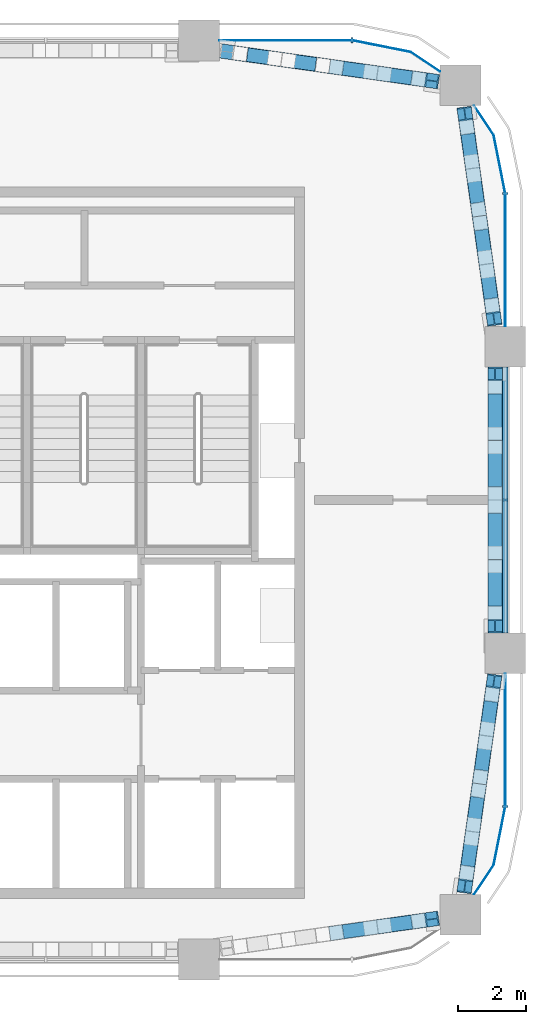
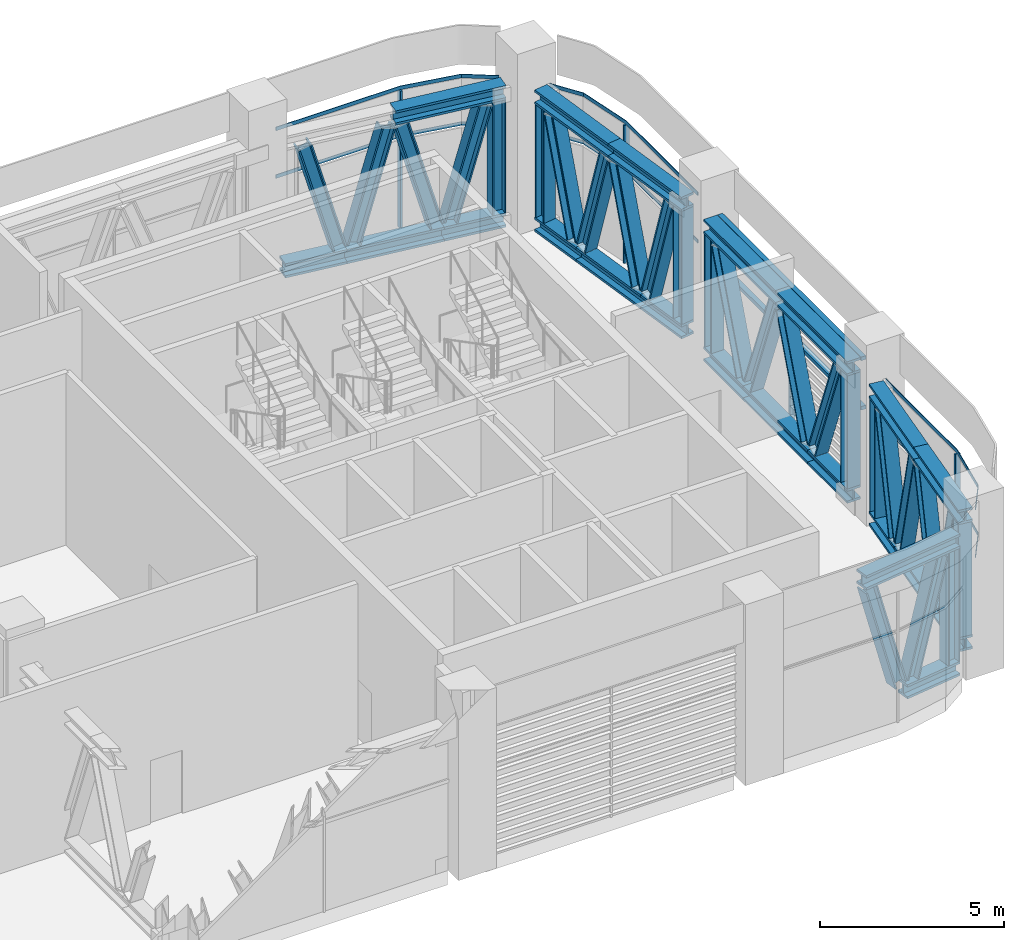
# One storey, part 5 of 14: 59 members, 4 elements without a shape of their own.
"""IFC4 building model written with IfcOpenShell, lengths in metres."""

from ifc_helpers import new_model, si_unit, direction, frame, origin, origin_2d, place, context, subcontext, project, spatial, polyline, rectangle, i_section, outline, extrude, material, material_profile, profile_set, type_object, element, aggregate, save


model = new_model("IFC4")

# Units and contexts
model_context = context("Model", 3, precision=1e-05, world=origin(), true_north=direction((0.0, 1.0)))
body_context = subcontext(model_context, "Body", "Model", "MODEL_VIEW")
ifc_project = project(units=[si_unit("LENGTHUNIT", "METRE"), si_unit("AREAUNIT", "SQUARE_METRE"), si_unit("VOLUMEUNIT", "CUBIC_METRE"), si_unit("PLANEANGLEUNIT", "RADIAN"), si_unit("MASSUNIT", "GRAM", prefix="KILO")], contexts=[model_context])

# Site, building, storey
site_placement = place(None, origin())
site = spatial("IfcSite", under=ifc_project, at=site_placement, CompositionType="ELEMENT")
building_placement = place(site_placement, origin())
building = spatial("IfcBuilding", under=site, at=building_placement, Name="Tessera Arch", CompositionType="ELEMENT")
storey_placement = place(building_placement, frame((0.0, 0.0, 295.199951171875)))
storey = spatial("IfcBuildingStorey", under=building, at=storey_placement, Name="L71", CompositionType="ELEMENT", Elevation=295.199951171875)

# Curtain wall, member
ifc_material_1 = material(Name="CW7 curtain wall")
curtain_wall_type = type_object("IfcCurtainWallType", Name="CW7 curtain wall", PredefinedType="NOTDEFINED", material=ifc_material_1)
curtain_wall_1_placement = place(storey_placement, origin())
curtain_wall_1 = element("IfcCurtainWall", 1, at=curtain_wall_1_placement, inside=storey, type_object=curtain_wall_type, Name="CW7 curtain wall E54.27/0 L71", PredefinedType="NOTDEFINED")
ifc_material_2 = material(Name="Anodised aluminium pale metal", Category="aluminium")
ifc_material_profile_1 = material_profile(ifc_material_2, rectangle(XDim=0.159912109375, YDim=0.06005859375, at=origin_2d()), Name="AL 60x160")
ifc_profile_set_1 = profile_set([ifc_material_profile_1], Name="Anodised aluminium pale metal")
member_type_1 = type_object("IfcMemberType", Name="CW7 mullion", PredefinedType="MULLION", material=ifc_profile_set_1)
member_1_placement = place(storey_placement, frame((54.0, 40.5, 0.0), z_axis=(0.0, 0.0, 1.0), x_axis=(-1.0, 0.0, 0.0)))
member_1 = element("IfcMember", 2, at=member_1_placement, type_object=member_type_1, Name="CW7 mullion E54.27/0 1", PredefinedType="MULLION", context=body_context, shape_type="SweptSolid", body=[
    extrude(rectangle(XDim=0.159912109375, YDim=0.06005859375, at=origin_2d()), origin(), (0.0, 0.0, 1.0), 4.580078125),
])

curtain_wall_2_placement = place(storey_placement, origin())
curtain_wall_2 = element("IfcCurtainWall", 3, at=curtain_wall_2_placement, inside=storey, type_object=curtain_wall_type, Name="CW7 curtain wall E54.27/1 L71", PredefinedType="NOTDEFINED")
member_2_placement = place(storey_placement, frame((54.0, 49.5, 0.0), z_axis=(0.0, 0.0, 1.0), x_axis=(-1.0, 0.0, 0.0)))
member_2 = element("IfcMember", 4, at=member_2_placement, type_object=member_type_1, Name="CW7 mullion E54.27/1 1", PredefinedType="MULLION", context=body_context, shape_type="SweptSolid", body=[
    extrude(rectangle(XDim=0.159912109375, YDim=0.06005859375, at=origin_2d()), origin(), (0.0, 0.0, 1.0), 4.580078125),
])

curtain_wall_3_placement = place(storey_placement, origin())
curtain_wall_3 = element("IfcCurtainWall", 5, at=curtain_wall_3_placement, inside=storey, type_object=curtain_wall_type, Name="CW7 curtain wall N54.18/0 L71", PredefinedType="NOTDEFINED")
member_3_placement = place(storey_placement, frame((49.5, 54.0, 0.0), z_axis=(0.0, 0.0, 1.0), x_axis=(0.0, -1.0, 0.0)))
member_3 = element("IfcMember", 6, at=member_3_placement, type_object=member_type_1, Name="CW7 mullion N54.18/0 1", PredefinedType="MULLION", context=body_context, shape_type="SweptSolid", body=[
    extrude(rectangle(XDim=0.159912109375, YDim=0.06005859375, at=origin_2d()), origin(), (0.0, 0.0, 1.0), 4.580078125),
])

curtain_wall_4_placement = place(storey_placement, origin())
curtain_wall_4 = element("IfcCurtainWall", 7, at=curtain_wall_4_placement, inside=storey, type_object=curtain_wall_type, Name="CW7 curtain wall E54.27/2 L71", PredefinedType="NOTDEFINED")
member_4_placement = place(storey_placement, frame((54.0, 31.5, 0.0), z_axis=(0.0, 0.0, 1.0), x_axis=(-1.0, 0.0, 0.0)))
member_4 = element("IfcMember", 8, at=member_4_placement, type_object=member_type_1, Name="CW7 mullion E54.27/2 1", PredefinedType="MULLION", context=body_context, shape_type="SweptSolid", body=[
    extrude(rectangle(XDim=0.159912109375, YDim=0.06005859375, at=origin_2d()), origin(), (0.0, 0.0, 1.0), 4.580078125),
])

# Member
ifc_material_3 = material(Name="Anodised aluminium pale metal", Category="aluminium")
ifc_material_profile_2 = material_profile(ifc_material_3, rectangle(XDim=0.159912109375, YDim=0.1201171875, at=origin_2d()), Name="AL 160x120")
ifc_profile_set_2 = profile_set([ifc_material_profile_2], Name="Anodised aluminium pale metal")
member_type_2 = type_object("IfcMemberType", Name="CW7 transom", PredefinedType="USERDEFINED", material=ifc_profile_set_2)
member_5_placement = place(storey_placement, frame((54.0, 36.60009765625, 4.64013671875), z_axis=(0.0, 1.0, 0.0), x_axis=(-1.0, 0.0, 0.0)))
member_5 = element("IfcMember", 9, at=member_5_placement, type_object=member_type_2, Name="CW7 transom E54.27/0 1.1", ObjectType="TRANSOM", PredefinedType="USERDEFINED", context=body_context, shape_type="SweptSolid", body=[
    extrude(rectangle(XDim=0.159912109375, YDim=0.1201171875, at=origin_2d()), origin(), (0.0, 0.0, 1.0), 7.7998046875),
])

member_6_placement = place(storey_placement, frame((54.0, 36.60009765625, 3.0), z_axis=(0.0, 1.0, 0.0), x_axis=(-1.0, 0.0, 0.0)))
member_6 = element("IfcMember", 10, at=member_6_placement, type_object=member_type_2, Name="CW7 transom E54.27/0 2.1", ObjectType="TRANSOM", PredefinedType="USERDEFINED", context=body_context, shape_type="SweptSolid", body=[
    extrude(rectangle(XDim=0.159912109375, YDim=0.1201171875, at=origin_2d()), origin(), (0.0, 0.0, 1.0), 7.7998046875),
])

aggregate(curtain_wall_1, [member_1, member_5, member_6])

member_7_placement = place(storey_placement, frame((0.0, 0.0, 3.0)))
member_7 = element("IfcMember", 11, at=member_7_placement, type_object=member_type_2, Name="CW7 transom E54.27/1 1", ObjectType="TRANSOM", PredefinedType="USERDEFINED", context=body_context, shape_type="SweptSolid", body=[
    extrude(outline(polyline([(53.989990234375, 49.4990234375), (53.989990234375, 45.60009765625), (54.010009765625, 45.60009765625), (54.010009765625, 49.5009765625), (53.6669921875, 51.22607421875), (53.09130859375, 52.087646484375), (53.07470703125, 52.076416015625), (53.648193359375, 51.21826171875), (53.989990234375, 49.4990234375)])), origin(), (0.0, 0.0, 1.0), 0.1201171875),
])

member_8_placement = place(storey_placement, frame((0.0, 0.0, 4.580078125)))
member_8 = element("IfcMember", 12, at=member_8_placement, type_object=member_type_2, Name="CW7 transom E54.27/1 2", ObjectType="TRANSOM", PredefinedType="USERDEFINED", context=body_context, shape_type="SweptSolid", body=[
    extrude(outline(polyline([(53.989990234375, 49.4990234375), (53.989990234375, 45.60009765625), (54.010009765625, 45.60009765625), (54.010009765625, 49.5009765625), (53.6669921875, 51.22607421875), (53.09130859375, 52.087646484375), (53.07470703125, 52.076416015625), (53.648193359375, 51.21826171875), (53.989990234375, 49.4990234375)])), origin(), (0.0, 0.0, 1.0), 0.119873046875),
])

aggregate(curtain_wall_2, [member_2, member_7, member_8])

member_9_placement = place(storey_placement, frame((0.0, 0.0, 3.0)))
member_9 = element("IfcMember", 13, at=member_9_placement, type_object=member_type_2, Name="CW7 transom N54.18/0 1", ObjectType="TRANSOM", PredefinedType="USERDEFINED", context=body_context, shape_type="SweptSolid", body=[
    extrude(outline(polyline([(51.21826171875, 53.648193359375), (52.076416015625, 53.07470703125), (52.087646484375, 53.09130859375), (51.22607421875, 53.6669921875), (49.5009765625, 54.010009765625), (45.60009765625, 54.010009765625), (45.60009765625, 53.989990234375), (49.4990234375, 53.989990234375), (51.21826171875, 53.648193359375)])), origin(), (0.0, 0.0, 1.0), 0.1201171875),
])

member_10_placement = place(storey_placement, frame((0.0, 0.0, 4.580078125)))
member_10 = element("IfcMember", 14, at=member_10_placement, type_object=member_type_2, Name="CW7 transom N54.18/0 2", ObjectType="TRANSOM", PredefinedType="USERDEFINED", context=body_context, shape_type="SweptSolid", body=[
    extrude(outline(polyline([(51.21826171875, 53.648193359375), (52.076416015625, 53.07470703125), (52.087646484375, 53.09130859375), (51.22607421875, 53.6669921875), (49.5009765625, 54.010009765625), (45.60009765625, 54.010009765625), (45.60009765625, 53.989990234375), (49.4990234375, 53.989990234375), (51.21826171875, 53.648193359375)])), origin(), (0.0, 0.0, 1.0), 0.119873046875),
])

aggregate(curtain_wall_3, [member_3, member_9, member_10])

member_11_placement = place(storey_placement, frame((0.0, 0.0, 3.0)))
member_11 = element("IfcMember", 15, at=member_11_placement, type_object=member_type_2, Name="CW7 transom E54.27/2 1", ObjectType="TRANSOM", PredefinedType="USERDEFINED", context=body_context, shape_type="SweptSolid", body=[
    extrude(outline(polyline([(53.648193359375, 29.78173828125), (53.07470703125, 28.923583984375), (53.09130859375, 28.912353515625), (53.6669921875, 29.77392578125), (54.010009765625, 31.4990234375), (54.010009765625, 35.39990234375), (53.989990234375, 35.39990234375), (53.989990234375, 31.5009765625), (53.648193359375, 29.78173828125)])), origin(), (0.0, 0.0, 1.0), 0.1201171875),
])

member_12_placement = place(storey_placement, frame((0.0, 0.0, 4.580078125)))
member_12 = element("IfcMember", 16, at=member_12_placement, type_object=member_type_2, Name="CW7 transom E54.27/2 2", ObjectType="TRANSOM", PredefinedType="USERDEFINED", context=body_context, shape_type="SweptSolid", body=[
    extrude(outline(polyline([(53.648193359375, 29.78173828125), (53.07470703125, 28.923583984375), (53.09130859375, 28.912353515625), (53.6669921875, 29.77392578125), (54.010009765625, 31.4990234375), (54.010009765625, 35.39990234375), (53.989990234375, 35.39990234375), (53.989990234375, 31.5009765625), (53.648193359375, 29.78173828125)])), origin(), (0.0, 0.0, 1.0), 0.119873046875),
])

aggregate(curtain_wall_4, [member_4, member_11, member_12])

# Members
ifc_material_4 = material(Name="Steel A992 Gr50", Category="steel")
ifc_material_profile_3 = material_profile(ifc_material_4, i_section(OverallWidth=0.424072265625, OverallDepth=0.47412109375, WebThickness=0.047607421875, FlangeThickness=0.0771484375, at=origin_2d()), Name="W14x426")
ifc_profile_set_3 = profile_set([ifc_material_profile_3], Name="Steel A992 Gr50")
member_type_3 = type_object("IfcMemberType", Name="Truss chord W14x426", PredefinedType="CHORD", material=ifc_profile_set_3)
for number, where, z_axis, x_axis, name in (
    (17, (53.699951171875, 36.60009765625, 4.462890625), (0.0, 1.0, 0.0), (-1.0, 0.0, 0.0), "Belt truss top chord 1"),
    (18, (53.699951171875, 40.5, 4.462890625), (0.0, 1.0, 0.0), (-1.0, 0.0, 0.0), "Belt truss top chord 2"),
):
    element("IfcMember", number, at=place(storey_placement, frame(where, z_axis=z_axis, x_axis=x_axis)), inside=storey, type_object=member_type_3, Name=name, PredefinedType="CHORD", context=body_context, shape_type="SweptSolid", body=[
        extrude(i_section(OverallWidth=0.424072265625, OverallDepth=0.47412109375, WebThickness=0.047607421875, FlangeThickness=0.0771484375, at=origin_2d()), origin(), (0.0, 0.0, 1.0), 3.89990234375),
    ])
member_13_placement = place(storey_placement, frame((53.699951171875, 36.60009765625, 0.237060546875), z_axis=(0.0, 1.0, 0.0), x_axis=(-1.0, 0.0, 0.0)))
element("IfcMember", 19, at=member_13_placement, inside=storey, type_object=member_type_3, Name="Belt truss bottom chord 1", PredefinedType="CHORD", context=body_context, shape_type="SweptSolid", body=[
    extrude(i_section(OverallWidth=0.424072265625, OverallDepth=0.47412109375, WebThickness=0.047607421875, FlangeThickness=0.0771484375, at=origin_2d()), origin(), (0.0, 0.0, 1.0), 2.146728515625),
])
member_14_placement = place(storey_placement, frame((53.699951171875, 38.746826171875, 0.237060546875), z_axis=(0.0, 1.0, 0.0), x_axis=(-1.0, 0.0, 0.0)))
element("IfcMember", 20, at=member_14_placement, inside=storey, type_object=member_type_3, Name="Belt truss bottom chord 2", PredefinedType="CHORD", context=body_context, shape_type="SweptSolid", body=[
    extrude(i_section(OverallWidth=0.424072265625, OverallDepth=0.47412109375, WebThickness=0.047607421875, FlangeThickness=0.0771484375, at=origin_2d()), origin(), (0.0, 0.0, 1.0), 3.50634765625),
])
member_15_placement = place(storey_placement, frame((53.699951171875, 42.253173828125, 0.237060546875), z_axis=(0.0, 1.0, 0.0), x_axis=(-1.0, 0.0, 0.0)))
element("IfcMember", 21, at=member_15_placement, inside=storey, type_object=member_type_3, Name="Belt truss bottom chord 3", PredefinedType="CHORD", context=body_context, shape_type="SweptSolid", body=[
    extrude(i_section(OverallWidth=0.424072265625, OverallDepth=0.47412109375, WebThickness=0.047607421875, FlangeThickness=0.0771484375, at=origin_2d()), origin(), (0.0, 0.0, 1.0), 2.146728515625),
])
member_16_placement = place(storey_placement, frame((53.69287109375, 45.629638671875, 4.462890625), z_axis=(-0.140133038281, 0.990132683827, 0.0), x_axis=(-0.990132683827, -0.140133038281, 0.0)))
element("IfcMember", 22, at=member_16_placement, inside=storey, type_object=member_type_3, Name="Belt truss top chord 1", PredefinedType="CHORD", context=body_context, shape_type="SweptSolid", body=[
    extrude(i_section(OverallWidth=0.424072265625, OverallDepth=0.47412109375, WebThickness=0.047607421875, FlangeThickness=0.0771484375, at=origin_2d()), origin(), (0.0, 0.0, 1.0), 3.237060546875),
])
member_17_placement = place(storey_placement, frame((53.2392578125, 48.834716796875, 4.462890625), z_axis=(-0.140048638065, 0.990144625283, 0.0), x_axis=(-0.990144625283, -0.140048638065, 0.0)))
element("IfcMember", 23, at=member_17_placement, inside=storey, type_object=member_type_3, Name="Belt truss top chord 2", PredefinedType="CHORD", context=body_context, shape_type="SweptSolid", body=[
    extrude(i_section(OverallWidth=0.424072265625, OverallDepth=0.47412109375, WebThickness=0.047607421875, FlangeThickness=0.0771484375, at=origin_2d()), origin(), (0.0, 0.0, 1.0), 3.2373046875),
])
member_18_placement = place(storey_placement, frame((53.69287109375, 45.629638671875, 0.237060546875), z_axis=(-0.140122212815, 0.99013421589, 0.0), x_axis=(-0.99013421589, -0.140122212815, 0.0)))
element("IfcMember", 24, at=member_18_placement, inside=storey, type_object=member_type_3, Name="Belt truss bottom chord 1", PredefinedType="CHORD", context=body_context, shape_type="SweptSolid", body=[
    extrude(i_section(OverallWidth=0.424072265625, OverallDepth=0.47412109375, WebThickness=0.047607421875, FlangeThickness=0.0771484375, at=origin_2d()), origin(), (0.0, 0.0, 1.0), 1.8154296875),
])
member_19_placement = place(storey_placement, frame((53.4384765625, 47.42724609375, 0.237060546875), z_axis=(-0.140050766866, 0.990144324177, 0.0), x_axis=(-0.990144324177, -0.140050766866, 0.0)))
element("IfcMember", 25, at=member_19_placement, inside=storey, type_object=member_type_3, Name="Belt truss bottom chord 2", PredefinedType="CHORD", context=body_context, shape_type="SweptSolid", body=[
    extrude(i_section(OverallWidth=0.424072265625, OverallDepth=0.47412109375, WebThickness=0.047607421875, FlangeThickness=0.0771484375, at=origin_2d()), origin(), (0.0, 0.0, 1.0), 2.84326171875),
])
member_20_placement = place(storey_placement, frame((53.040283203125, 50.242431640625, 0.237060546875), z_axis=(-0.140122212815, 0.99013421589, 0.0), x_axis=(-0.99013421589, -0.140122212815, 0.0)))
element("IfcMember", 26, at=member_20_placement, inside=storey, type_object=member_type_3, Name="Belt truss bottom chord 3", PredefinedType="CHORD", context=body_context, shape_type="SweptSolid", body=[
    extrude(i_section(OverallWidth=0.424072265625, OverallDepth=0.47412109375, WebThickness=0.047607421875, FlangeThickness=0.0771484375, at=origin_2d()), origin(), (0.0, 0.0, 1.0), 1.8154296875),
])
member_21_placement = place(storey_placement, frame((52.0400390625, 52.785888671875, 4.462890625), z_axis=(-0.990144625283, 0.140048638065, 0.0), x_axis=(-0.140048638065, -0.990144625283, 0.0)))
element("IfcMember", 27, at=member_21_placement, inside=storey, type_object=member_type_3, Name="Belt truss top chord 1", PredefinedType="CHORD", context=body_context, shape_type="SweptSolid", body=[
    extrude(i_section(OverallWidth=0.424072265625, OverallDepth=0.47412109375, WebThickness=0.047607421875, FlangeThickness=0.0771484375, at=origin_2d()), origin(), (0.0, 0.0, 1.0), 3.2373046875),
])
member_22_placement = place(storey_placement, frame((52.0400390625, 52.785888671875, 0.237060546875), z_axis=(-0.99013421589, 0.140122212815, 0.0), x_axis=(-0.140122212815, -0.99013421589, 0.0)))
element("IfcMember", 28, at=member_22_placement, inside=storey, type_object=member_type_3, Name="Belt truss bottom chord 1", PredefinedType="CHORD", context=body_context, shape_type="SweptSolid", body=[
    extrude(i_section(OverallWidth=0.424072265625, OverallDepth=0.47412109375, WebThickness=0.047607421875, FlangeThickness=0.0771484375, at=origin_2d()), origin(), (0.0, 0.0, 1.0), 1.8154296875),
])
member_23_placement = place(storey_placement, frame((50.242431640625, 53.040283203125, 0.237060546875), z_axis=(-0.990144324177, 0.140050766866, 0.0), x_axis=(-0.140050766866, -0.990144324177, 0.0)))
element("IfcMember", 29, at=member_23_placement, inside=storey, type_object=member_type_3, Name="Belt truss bottom chord 2", PredefinedType="CHORD", context=body_context, shape_type="SweptSolid", body=[
    extrude(i_section(OverallWidth=0.424072265625, OverallDepth=0.47412109375, WebThickness=0.047607421875, FlangeThickness=0.0771484375, at=origin_2d()), origin(), (0.0, 0.0, 1.0), 2.84326171875),
])
member_24_placement = place(storey_placement, frame((47.42724609375, 53.4384765625, 0.237060546875), z_axis=(-0.99013421589, 0.140122212815, 0.0), x_axis=(-0.140122212815, -0.99013421589, 0.0)))
element("IfcMember", 30, at=member_24_placement, inside=storey, type_object=member_type_3, Name="Belt truss bottom chord 3", PredefinedType="CHORD", context=body_context, shape_type="SweptSolid", body=[
    extrude(i_section(OverallWidth=0.424072265625, OverallDepth=0.47412109375, WebThickness=0.047607421875, FlangeThickness=0.0771484375, at=origin_2d()), origin(), (0.0, 0.0, 1.0), 1.8154296875),
])
member_25_placement = place(storey_placement, frame((48.834716796875, 27.7607421875, 4.462890625), z_axis=(0.990144625283, 0.140048638065, 0.0), x_axis=(-0.140048638065, 0.990144625283, 0.0)))
element("IfcMember", 31, at=member_25_placement, inside=storey, type_object=member_type_3, Name="Belt truss top chord 2", PredefinedType="CHORD", context=body_context, shape_type="SweptSolid", body=[
    extrude(i_section(OverallWidth=0.424072265625, OverallDepth=0.47412109375, WebThickness=0.047607421875, FlangeThickness=0.0771484375, at=origin_2d()), origin(), (0.0, 0.0, 1.0), 3.2373046875),
])
member_26_placement = place(storey_placement, frame((50.242431640625, 27.959716796875, 0.237060546875), z_axis=(0.99013421589, 0.140122212815, 0.0), x_axis=(-0.140122212815, 0.99013421589, 0.0)))
element("IfcMember", 32, at=member_26_placement, inside=storey, type_object=member_type_3, Name="Belt truss bottom chord 3", PredefinedType="CHORD", context=body_context, shape_type="SweptSolid", body=[
    extrude(i_section(OverallWidth=0.424072265625, OverallDepth=0.47412109375, WebThickness=0.047607421875, FlangeThickness=0.0771484375, at=origin_2d()), origin(), (0.0, 0.0, 1.0), 1.8154296875),
])
member_27_placement = place(storey_placement, frame((52.785888671875, 28.9599609375, 4.462890625), z_axis=(0.140048638065, 0.990144625283, 0.0), x_axis=(-0.990144625283, 0.140048638065, 0.0)))
element("IfcMember", 33, at=member_27_placement, inside=storey, type_object=member_type_3, Name="Belt truss top chord 1", PredefinedType="CHORD", context=body_context, shape_type="SweptSolid", body=[
    extrude(i_section(OverallWidth=0.424072265625, OverallDepth=0.47412109375, WebThickness=0.047607421875, FlangeThickness=0.0771484375, at=origin_2d()), origin(), (0.0, 0.0, 1.0), 3.2373046875),
])
member_28_placement = place(storey_placement, frame((53.2392578125, 32.165283203125, 4.462890625), z_axis=(0.140133038281, 0.990132683827, 0.0), x_axis=(-0.990132683827, 0.140133038281, 0.0)))
element("IfcMember", 34, at=member_28_placement, inside=storey, type_object=member_type_3, Name="Belt truss top chord 2", PredefinedType="CHORD", context=body_context, shape_type="SweptSolid", body=[
    extrude(i_section(OverallWidth=0.424072265625, OverallDepth=0.47412109375, WebThickness=0.047607421875, FlangeThickness=0.0771484375, at=origin_2d()), origin(), (0.0, 0.0, 1.0), 3.237060546875),
])
member_29_placement = place(storey_placement, frame((52.785888671875, 28.9599609375, 0.237060546875), z_axis=(0.140122212815, 0.99013421589, 0.0), x_axis=(-0.99013421589, 0.140122212815, 0.0)))
element("IfcMember", 35, at=member_29_placement, inside=storey, type_object=member_type_3, Name="Belt truss bottom chord 1", PredefinedType="CHORD", context=body_context, shape_type="SweptSolid", body=[
    extrude(i_section(OverallWidth=0.424072265625, OverallDepth=0.47412109375, WebThickness=0.047607421875, FlangeThickness=0.0771484375, at=origin_2d()), origin(), (0.0, 0.0, 1.0), 1.8154296875),
])
member_30_placement = place(storey_placement, frame((53.040283203125, 30.757568359375, 0.237060546875), z_axis=(0.140050766866, 0.990144324177, 0.0), x_axis=(-0.990144324177, 0.140050766866, 0.0)))
element("IfcMember", 36, at=member_30_placement, inside=storey, type_object=member_type_3, Name="Belt truss bottom chord 2", PredefinedType="CHORD", context=body_context, shape_type="SweptSolid", body=[
    extrude(i_section(OverallWidth=0.424072265625, OverallDepth=0.47412109375, WebThickness=0.047607421875, FlangeThickness=0.0771484375, at=origin_2d()), origin(), (0.0, 0.0, 1.0), 2.84326171875),
])
member_31_placement = place(storey_placement, frame((53.4384765625, 33.57275390625, 0.237060546875), z_axis=(0.140122212815, 0.99013421589, 0.0), x_axis=(-0.99013421589, 0.140122212815, 0.0)))
element("IfcMember", 37, at=member_31_placement, inside=storey, type_object=member_type_3, Name="Belt truss bottom chord 3", PredefinedType="CHORD", context=body_context, shape_type="SweptSolid", body=[
    extrude(i_section(OverallWidth=0.424072265625, OverallDepth=0.47412109375, WebThickness=0.047607421875, FlangeThickness=0.0771484375, at=origin_2d()), origin(), (0.0, 0.0, 1.0), 1.8154296875),
])
ifc_material_5 = material(Name="Steel A992 Gr50", Category="steel")
ifc_material_profile_4 = material_profile(ifc_material_5, i_section(OverallWidth=0.406494140625, OverallDepth=0.41650390625, WebThickness=0.030029296875, FlangeThickness=0.048095703125, at=origin_2d()), Name="W14x257")
ifc_profile_set_4 = profile_set([ifc_material_profile_4], Name="Steel A992 Gr50")
member_type_4 = type_object("IfcMemberType", Name="Truss diagonal W14x257", PredefinedType="BRACE", material=ifc_profile_set_4)
for number, where, z_axis, x_axis, name in (
    (38, (53.699951171875, 37.19482421875, 4.13525390625), (0.0, 0.353848249837, -0.935302847257), (-1.0, 0.0, 0.0), "Belt truss diagonal 1"),
    (39, (53.699951171875, 38.947998046875, 0.564697265625), (0.0, 0.353848249837, 0.935302847257), (-1.0, 0.0, 0.0), "Belt truss diagonal 2"),
    (40, (53.699951171875, 40.701171875, 4.13525390625), (0.0, 0.353848249837, -0.935302847257), (-1.0, 0.0, 0.0), "Belt truss diagonal 3"),
    (41, (53.699951171875, 42.454345703125, 0.564697265625), (0.0, 0.353848249837, 0.935302847257), (-1.0, 0.0, 0.0), "Belt truss diagonal 4"),
):
    element("IfcMember", number, at=place(storey_placement, frame(where, z_axis=z_axis, x_axis=x_axis)), inside=storey, type_object=member_type_4, Name=name, PredefinedType="BRACE", context=body_context, shape_type="SweptSolid", body=[
        extrude(i_section(OverallWidth=0.406494140625, OverallDepth=0.41650390625, WebThickness=0.030029296875, FlangeThickness=0.048095703125, at=origin_2d()), origin(), (0.0, 0.0, 1.0), 3.817626953125),
    ])
for number, where, z_axis, x_axis, name in (
    (42, (53.60888671875, 46.222900390625, 4.15234375), (-0.037825862853, 0.267324503165, -0.96286386063), (-0.990137028576, -0.14010233632, 0.0), "Belt truss diagonal 1"),
    (43, (53.40966796875, 47.630615234375, 0.5478515625), (-0.037825862853, 0.267324503165, 0.96286386063), (-0.990137028576, -0.14010233632, 0.0), "Belt truss diagonal 2"),
):
    element("IfcMember", number, at=place(storey_placement, frame(where, z_axis=z_axis, x_axis=x_axis)), inside=storey, type_object=member_type_4, Name=name, PredefinedType="BRACE", context=body_context, shape_type="SweptSolid", body=[
        extrude(i_section(OverallWidth=0.406494140625, OverallDepth=0.41650390625, WebThickness=0.030029296875, FlangeThickness=0.048095703125, at=origin_2d()), origin(), (0.0, 0.0, 1.0), 3.743408203125),
    ])
for number, where, z_axis, x_axis, name in (
    (44, (53.21044921875, 49.0380859375, 4.15234375), (-0.03782520333, 0.267385058023, -0.962847072353), (-0.990141768293, -0.140068835515, 0.0), "Belt truss diagonal 3"),
    (45, (53.011474609375, 50.44580078125, 0.5478515625), (-0.03782520333, 0.267385058023, 0.962847072353), (-0.990141768293, -0.140068835515, 0.0), "Belt truss diagonal 4"),
    (46, (51.44677734375, 52.869873046875, 4.15234375), (-0.267385058023, 0.03782520333, -0.962847072353), (-0.140068835515, -0.990141768293, 0.0), "Belt truss diagonal 1"),
    (47, (50.0390625, 53.06884765625, 0.5478515625), (-0.267385058023, 0.03782520333, 0.962847072353), (-0.140068835515, -0.990141768293, 0.0), "Belt truss diagonal 2"),
):
    element("IfcMember", number, at=place(storey_placement, frame(where, z_axis=z_axis, x_axis=x_axis)), inside=storey, type_object=member_type_4, Name=name, PredefinedType="BRACE", context=body_context, shape_type="SweptSolid", body=[
        extrude(i_section(OverallWidth=0.406494140625, OverallDepth=0.41650390625, WebThickness=0.030029296875, FlangeThickness=0.048095703125, at=origin_2d()), origin(), (0.0, 0.0, 1.0), 3.74365234375),
    ])
for number, where, z_axis, x_axis, name in (
    (48, (48.63134765625, 53.26806640625, 4.15234375), (-0.267324503165, 0.037825862853, -0.96286386063), (-0.14010233632, -0.990137028576, 0.0), "Belt truss diagonal 3"),
    (49, (47.2236328125, 53.46728515625, 0.5478515625), (-0.267324503165, 0.037825862853, 0.96286386063), (-0.14010233632, -0.990137028576, 0.0), "Belt truss diagonal 4"),
):
    element("IfcMember", number, at=place(storey_placement, frame(where, z_axis=z_axis, x_axis=x_axis)), inside=storey, type_object=member_type_4, Name=name, PredefinedType="BRACE", context=body_context, shape_type="SweptSolid", body=[
        extrude(i_section(OverallWidth=0.406494140625, OverallDepth=0.41650390625, WebThickness=0.030029296875, FlangeThickness=0.048095703125, at=origin_2d()), origin(), (0.0, 0.0, 1.0), 3.743408203125),
    ])
for number, where, z_axis, x_axis, name in (
    (50, (49.0380859375, 27.78955078125, 4.15234375), (0.267385058023, 0.03782520333, -0.962847072353), (-0.140068835515, 0.990141768293, 0.0), "Belt truss diagonal 3"),
    (51, (50.44580078125, 27.988525390625, 0.5478515625), (0.267385058023, 0.03782520333, 0.962847072353), (-0.140068835515, 0.990141768293, 0.0), "Belt truss diagonal 4"),
    (52, (52.869873046875, 29.55322265625, 4.15234375), (0.03782520333, 0.267385058023, -0.962847072353), (-0.990141768293, 0.140068835515, 0.0), "Belt truss diagonal 1"),
    (53, (53.06884765625, 30.9609375, 0.5478515625), (0.03782520333, 0.267385058023, 0.962847072353), (-0.990141768293, 0.140068835515, 0.0), "Belt truss diagonal 2"),
):
    element("IfcMember", number, at=place(storey_placement, frame(where, z_axis=z_axis, x_axis=x_axis)), inside=storey, type_object=member_type_4, Name=name, PredefinedType="BRACE", context=body_context, shape_type="SweptSolid", body=[
        extrude(i_section(OverallWidth=0.406494140625, OverallDepth=0.41650390625, WebThickness=0.030029296875, FlangeThickness=0.048095703125, at=origin_2d()), origin(), (0.0, 0.0, 1.0), 3.74365234375),
    ])
for number, where, z_axis, x_axis, name in (
    (54, (53.26806640625, 32.36865234375, 4.15234375), (0.037825862853, 0.267324503165, -0.96286386063), (-0.990137028576, 0.14010233632, 0.0), "Belt truss diagonal 3"),
    (55, (53.46728515625, 33.7763671875, 0.5478515625), (0.037825862853, 0.267324503165, 0.96286386063), (-0.990137028576, 0.14010233632, 0.0), "Belt truss diagonal 4"),
):
    element("IfcMember", number, at=place(storey_placement, frame(where, z_axis=z_axis, x_axis=x_axis)), inside=storey, type_object=member_type_4, Name=name, PredefinedType="BRACE", context=body_context, shape_type="SweptSolid", body=[
        extrude(i_section(OverallWidth=0.406494140625, OverallDepth=0.41650390625, WebThickness=0.030029296875, FlangeThickness=0.048095703125, at=origin_2d()), origin(), (0.0, 0.0, 1.0), 3.743408203125),
    ])
ifc_material_6 = material(Name="Steel A992 Gr50", Category="steel")
ifc_material_profile_5 = material_profile(ifc_material_6, i_section(OverallWidth=0.398681640625, OverallDepth=0.393798828125, WebThickness=0.022705078125, FlangeThickness=0.03662109375, at=origin_2d()), Name="W14x193")
ifc_profile_set_5 = profile_set([ifc_material_profile_5], Name="Steel A992 Gr50")
member_type_5 = type_object("IfcMemberType", Name="Truss post W14x193", PredefinedType="POST", material=ifc_profile_set_5)
for number, where, z_axis, x_axis, name in (
    (56, (53.699951171875, 36.796875, 0.474365234375), (0.0, 0.0, 1.0), (1.0, 0.0, 0.0), "Belt truss end post 1"),
    (57, (53.699951171875, 44.203125, 0.474365234375), (0.0, 0.0, 1.0), (1.0, 0.0, 0.0), "Belt truss end post 2"),
    (58, (53.665283203125, 45.824462890625, 0.474365234375), (0.0, 0.0, 1.0), (0.990138926215, 0.140088924592, 0.0), "Belt truss end post 1"),
    (59, (52.8134765625, 51.844970703125, 0.474365234375), (0.0, 0.0, 1.0), (0.990138926215, 0.140088924592, 0.0), "Belt truss end post 2"),
    (60, (51.844970703125, 52.8134765625, 0.474365234375), (0.0, 0.0, 1.0), (0.140088924592, 0.990138926215, 0.0), "Belt truss end post 1"),
    (61, (51.844970703125, 28.1865234375, 0.474365234375), (0.0, 0.0, 1.0), (-0.140088924592, 0.990138926215, 0.0), "Belt truss end post 2"),
    (62, (52.8134765625, 29.155029296875, 0.474365234375), (0.0, 0.0, 1.0), (-0.990138926215, 0.140088924592, 0.0), "Belt truss end post 1"),
    (63, (53.665283203125, 35.175537109375, 0.474365234375), (0.0, 0.0, 1.0), (-0.990138926215, 0.140088924592, 0.0), "Belt truss end post 2"),
):
    element("IfcMember", number, at=place(storey_placement, frame(where, z_axis=z_axis, x_axis=x_axis)), inside=storey, type_object=member_type_5, Name=name, PredefinedType="POST", context=body_context, shape_type="SweptSolid", body=[
        extrude(i_section(OverallWidth=0.398681640625, OverallDepth=0.393798828125, WebThickness=0.022705078125, FlangeThickness=0.03662109375, at=origin_2d()), origin(), (0.0, 0.0, 1.0), 3.75146484375),
    ])

save(model, "model.ifc")
